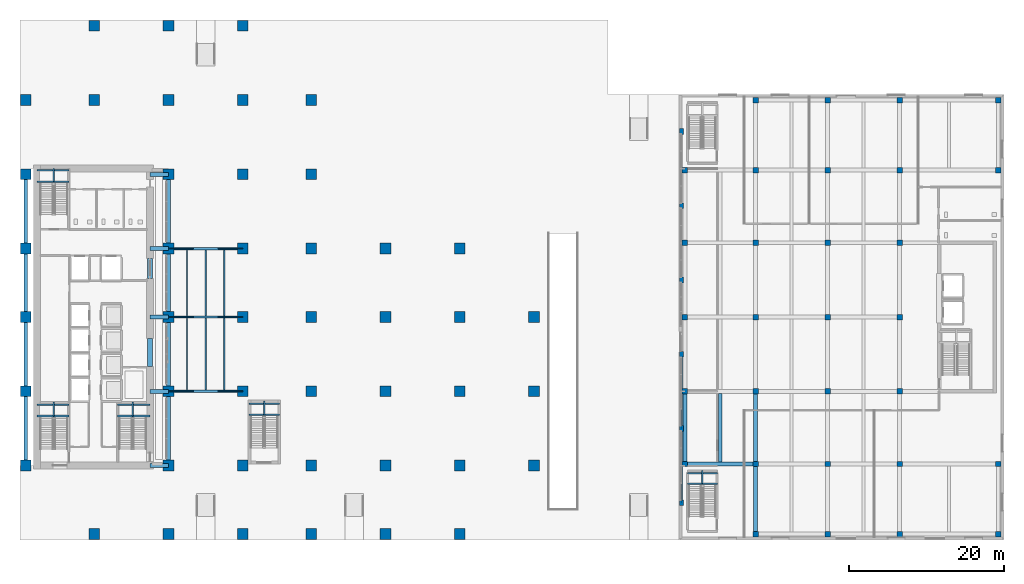
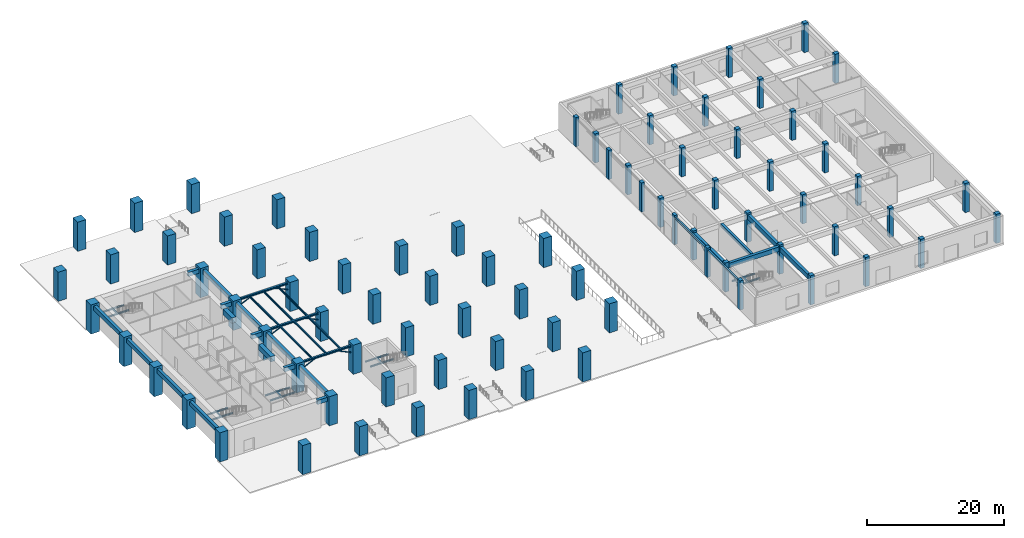
# One storey, part 1 of 24: 81 columns, 43 beams, 8 members.
"""IFC4 building model written with IfcOpenShell, lengths in metres."""

from ifc_helpers import new_model, si_unit, direction, frame, origin, origin_2d, place, context, subcontext, project, spatial, rectangle, hollow_circle, i_section, extrude, material, material_profile, profile_set, type_object, element, save


model = new_model("IFC4")

# Units and contexts
model_context = context("Model", 3, precision=1e-05, world=origin(), true_north=direction((0.0, 1.0)))
body_context = subcontext(model_context, "Body", "Model", "MODEL_VIEW")
ifc_project = project(units=[si_unit("LENGTHUNIT", "METRE"), si_unit("AREAUNIT", "SQUARE_METRE"), si_unit("VOLUMEUNIT", "CUBIC_METRE"), si_unit("PLANEANGLEUNIT", "RADIAN"), si_unit("MASSUNIT", "GRAM", prefix="KILO")], contexts=[model_context])

# Site, building, storey
site_placement = place(None, origin())
site = spatial("IfcSite", under=ifc_project, at=site_placement, CompositionType="ELEMENT")
building_placement = place(site_placement, origin())
building = spatial("IfcBuilding", under=site, at=building_placement, Name="Norrvale University Quadrangle", CompositionType="ELEMENT")
storey_placement = place(building_placement, origin())
storey = spatial("IfcBuildingStorey", under=building, at=storey_placement, Name="L00", CompositionType="ELEMENT", Elevation=0.0)

# Columns
ifc_material_1 = material(Name="Concrete C60/75", Category="concrete")
ifc_material_profile_1 = material_profile(ifc_material_1, rectangle(XDim=0.550048828125, YDim=0.75, at=origin_2d()), Name="Concrete C60/75")
ifc_profile_set_1 = profile_set([ifc_material_profile_1], Name="Concrete C60/75")
column_type_1 = type_object("IfcColumnType", Name="Column Lib Colonnade 550", PredefinedType="PILASTER", material=ifc_profile_set_1)
for number, where, z_axis, x_axis, name in (
    (1, (85.5, 4.800048828125, 0.0), (0.0, 0.0, 1.0), (1.0, 0.0, 0.0), "Library Colonnade Pilaster L00-01"),
    (2, (85.5, 14.39990234375, 0.0), (0.0, 0.0, 1.0), (1.0, 0.0, 0.0), "Library Colonnade Pilaster L00-02"),
    (3, (85.5, 24.0, 0.0), (0.0, 0.0, 1.0), (1.0, 0.0, 0.0), "Library Colonnade Pilaster L00-03"),
    (4, (85.5, 33.60009765625, 0.0), (0.0, 0.0, 1.0), (1.0, 0.0, 0.0), "Library Colonnade Pilaster L00-04"),
    (5, (85.5, 43.199951171875, 0.0), (0.0, 0.0, 1.0), (1.0, 0.0, 0.0), "Library Colonnade Pilaster L00-05"),
    (6, (85.5, 52.800048828125, 0.0), (0.0, 0.0, 1.0), (1.0, 0.0, 0.0), "Library Colonnade Pilaster L00-06"),
):
    element("IfcColumn", number, at=place(storey_placement, frame(where, z_axis=z_axis, x_axis=x_axis)), inside=storey, type_object=column_type_1, Name=name, PredefinedType="PILASTER", context=body_context, shape_type="SweptSolid", body=[
        extrude(rectangle(XDim=0.550048828125, YDim=0.75, at=origin_2d()), origin(), (0.0, 0.0, 1.0), 5.199951171875),
    ])
ifc_material_profile_2 = material_profile(ifc_material_1, rectangle(XDim=0.699951171875, YDim=0.699951171875, at=origin_2d()), Name="Concrete C60/75")
ifc_profile_set_2 = profile_set([ifc_material_profile_2], Name="Concrete C60/75")
column_type_2 = type_object("IfcColumnType", Name="Column Lib 700x700", PredefinedType="COLUMN", material=ifc_profile_set_2)
for number, where, z_axis, x_axis, name in (
    (7, (85.949951171875, 9.800048828125, 0.0), (0.0, 0.0, 1.0), (1.0, 0.0, 0.0), "Library Column L00-L01"),
    (8, (85.949951171875, 19.199951171875, 0.0), (0.0, 0.0, 1.0), (1.0, 0.0, 0.0), "Library Column L00-L02"),
    (9, (85.949951171875, 28.800048828125, 0.0), (0.0, 0.0, 1.0), (1.0, 0.0, 0.0), "Library Column L00-L03"),
    (10, (85.949951171875, 38.39990234375, 0.0), (0.0, 0.0, 1.0), (1.0, 0.0, 0.0), "Library Column L00-L04"),
    (11, (85.949951171875, 47.800048828125, 0.0), (0.0, 0.0, 1.0), (1.0, 0.0, 0.0), "Library Column L00-L05"),
    (12, (95.10009765625, 0.75, 0.0), (0.0, 0.0, 1.0), (1.0, 0.0, 0.0), "Library Column L00-L06"),
    (13, (95.10009765625, 9.800048828125, 0.0), (0.0, 0.0, 1.0), (1.0, 0.0, 0.0), "Library Column L00-L07"),
    (14, (95.10009765625, 19.199951171875, 0.0), (0.0, 0.0, 1.0), (1.0, 0.0, 0.0), "Library Column L00-L08"),
    (15, (95.10009765625, 28.800048828125, 0.0), (0.0, 0.0, 1.0), (1.0, 0.0, 0.0), "Library Column L00-L09"),
    (16, (95.10009765625, 38.39990234375, 0.0), (0.0, 0.0, 1.0), (1.0, 0.0, 0.0), "Library Column L00-L10"),
    (17, (95.10009765625, 47.800048828125, 0.0), (0.0, 0.0, 1.0), (1.0, 0.0, 0.0), "Library Column L00-L11"),
    (18, (95.10009765625, 56.85009765625, 0.0), (0.0, 0.0, 1.0), (1.0, 0.0, 0.0), "Library Column L00-L12"),
    (19, (104.39990234375, 0.75, 0.0), (0.0, 0.0, 1.0), (1.0, 0.0, 0.0), "Library Column L00-L13"),
    (20, (104.39990234375, 9.800048828125, 0.0), (0.0, 0.0, 1.0), (1.0, 0.0, 0.0), "Library Column L00-L14"),
    (21, (104.39990234375, 19.199951171875, 0.0), (0.0, 0.0, 1.0), (1.0, 0.0, 0.0), "Library Column L00-L15"),
    (22, (104.39990234375, 28.800048828125, 0.0), (0.0, 0.0, 1.0), (1.0, 0.0, 0.0), "Library Column L00-L16"),
    (23, (104.39990234375, 38.39990234375, 0.0), (0.0, 0.0, 1.0), (1.0, 0.0, 0.0), "Library Column L00-L17"),
    (24, (104.39990234375, 47.800048828125, 0.0), (0.0, 0.0, 1.0), (1.0, 0.0, 0.0), "Library Column L00-L18"),
    (25, (104.39990234375, 56.85009765625, 0.0), (0.0, 0.0, 1.0), (1.0, 0.0, 0.0), "Library Column L00-L19"),
    (26, (113.699951171875, 0.75, 0.0), (0.0, 0.0, 1.0), (1.0, 0.0, 0.0), "Library Column L00-L20"),
    (27, (113.699951171875, 9.800048828125, 0.0), (0.0, 0.0, 1.0), (1.0, 0.0, 0.0), "Library Column L00-L21"),
    (28, (113.699951171875, 19.199951171875, 0.0), (0.0, 0.0, 1.0), (1.0, 0.0, 0.0), "Library Column L00-L22"),
    (29, (113.699951171875, 28.800048828125, 0.0), (0.0, 0.0, 1.0), (1.0, 0.0, 0.0), "Library Column L00-L23"),
    (30, (113.699951171875, 38.39990234375, 0.0), (0.0, 0.0, 1.0), (1.0, 0.0, 0.0), "Library Column L00-L24"),
    (31, (113.699951171875, 47.800048828125, 0.0), (0.0, 0.0, 1.0), (1.0, 0.0, 0.0), "Library Column L00-L25"),
    (32, (113.699951171875, 56.85009765625, 0.0), (0.0, 0.0, 1.0), (1.0, 0.0, 0.0), "Library Column L00-L26"),
    (33, (126.449951171875, 0.75, 0.0), (0.0, 0.0, 1.0), (1.0, 0.0, 0.0), "Library Column L00-L27"),
    (34, (126.449951171875, 9.800048828125, 0.0), (0.0, 0.0, 1.0), (1.0, 0.0, 0.0), "Library Column L00-L28"),
    (35, (126.449951171875, 47.800048828125, 0.0), (0.0, 0.0, 1.0), (1.0, 0.0, 0.0), "Library Column L00-L29"),
    (36, (126.449951171875, 56.85009765625, 0.0), (0.0, 0.0, 1.0), (1.0, 0.0, 0.0), "Library Column L00-L30"),
):
    element("IfcColumn", number, at=place(storey_placement, frame(where, z_axis=z_axis, x_axis=x_axis)), inside=storey, type_object=column_type_2, Name=name, PredefinedType="COLUMN", context=body_context, shape_type="SweptSolid", body=[
        extrude(rectangle(XDim=0.699951171875, YDim=0.699951171875, at=origin_2d()), origin(), (0.0, 0.0, 1.0), 5.199951171875),
    ])
ifc_material_2 = material(Name="Concrete C80/95", Category="concrete")
ifc_material_profile_3 = material_profile(ifc_material_2, rectangle(XDim=1.39990234375, YDim=1.39990234375, at=origin_2d()), Name="Concrete C80/95")
ifc_profile_set_3 = profile_set([ifc_material_profile_3], Name="Concrete C80/95")
column_type_3 = type_object("IfcColumnType", Name="Column Pilotis 1400x1400", PredefinedType="USERDEFINED", material=ifc_profile_set_3)
for number, where, z_axis, x_axis, name in (
    (37, (0.75, 9.60009765625, 0.0), (0.0, 0.0, 1.0), (1.0, 0.0, 0.0), "Tower Column L00-T01"),
    (38, (0.75, 19.199951171875, 0.0), (0.0, 0.0, 1.0), (1.0, 0.0, 0.0), "Tower Column L00-T02"),
    (39, (0.75, 28.800048828125, 0.0), (0.0, 0.0, 1.0), (1.0, 0.0, 0.0), "Tower Column L00-T03"),
    (40, (0.75, 37.64990234375, 0.0), (0.0, 0.0, 1.0), (1.0, 0.0, 0.0), "Tower Column L00-T04"),
    (41, (0.75, 47.25, 0.0), (0.0, 0.0, 1.0), (1.0, 0.0, 0.0), "Tower Column L00-T05"),
    (42, (0.75, 56.85009765625, 0.0), (0.0, 0.0, 1.0), (1.0, 0.0, 0.0), "Tower Column L00-T06"),
    (43, (9.60009765625, 0.75, 0.0), (0.0, 0.0, 1.0), (1.0, 0.0, 0.0), "Tower Column L00-T07"),
    (44, (9.60009765625, 56.85009765625, 0.0), (0.0, 0.0, 1.0), (1.0, 0.0, 0.0), "Tower Column L00-T08"),
    (45, (9.60009765625, 66.449951171875, 0.0), (0.0, 0.0, 1.0), (1.0, 0.0, 0.0), "Tower Column L00-T09"),
    (46, (19.199951171875, 0.75, 0.0), (0.0, 0.0, 1.0), (1.0, 0.0, 0.0), "Tower Column L00-T10"),
    (47, (19.199951171875, 9.60009765625, 0.0), (0.0, 0.0, 1.0), (1.0, 0.0, 0.0), "Tower Column L00-T11"),
    (48, (19.199951171875, 19.199951171875, 0.0), (0.0, 0.0, 1.0), (1.0, 0.0, 0.0), "Tower Column L00-T12"),
    (49, (19.199951171875, 28.800048828125, 0.0), (0.0, 0.0, 1.0), (1.0, 0.0, 0.0), "Tower Column L00-T13"),
    (50, (19.199951171875, 37.64990234375, 0.0), (0.0, 0.0, 1.0), (1.0, 0.0, 0.0), "Tower Column L00-T14"),
    (51, (19.199951171875, 47.25, 0.0), (0.0, 0.0, 1.0), (1.0, 0.0, 0.0), "Tower Column L00-T15"),
    (52, (19.199951171875, 56.85009765625, 0.0), (0.0, 0.0, 1.0), (1.0, 0.0, 0.0), "Tower Column L00-T16"),
    (53, (19.199951171875, 66.449951171875, 0.0), (0.0, 0.0, 1.0), (1.0, 0.0, 0.0), "Tower Column L00-T17"),
    (54, (28.800048828125, 0.75, 0.0), (0.0, 0.0, 1.0), (1.0, 0.0, 0.0), "Tower Column L00-T18"),
    (55, (28.800048828125, 9.60009765625, 0.0), (0.0, 0.0, 1.0), (1.0, 0.0, 0.0), "Tower Column L00-T19"),
    (56, (28.800048828125, 19.199951171875, 0.0), (0.0, 0.0, 1.0), (1.0, 0.0, 0.0), "Tower Column L00-T20"),
    (57, (28.800048828125, 28.800048828125, 0.0), (0.0, 0.0, 1.0), (1.0, 0.0, 0.0), "Tower Column L00-T21"),
    (58, (28.800048828125, 37.64990234375, 0.0), (0.0, 0.0, 1.0), (1.0, 0.0, 0.0), "Tower Column L00-T22"),
    (59, (28.800048828125, 47.25, 0.0), (0.0, 0.0, 1.0), (1.0, 0.0, 0.0), "Tower Column L00-T23"),
    (60, (28.800048828125, 56.85009765625, 0.0), (0.0, 0.0, 1.0), (1.0, 0.0, 0.0), "Tower Column L00-T24"),
    (61, (28.800048828125, 66.449951171875, 0.0), (0.0, 0.0, 1.0), (1.0, 0.0, 0.0), "Tower Column L00-T25"),
    (62, (37.64990234375, 0.75, 0.0), (0.0, 0.0, 1.0), (1.0, 0.0, 0.0), "Tower Column L00-T26"),
    (63, (37.64990234375, 9.60009765625, 0.0), (0.0, 0.0, 1.0), (1.0, 0.0, 0.0), "Tower Column L00-T27"),
    (64, (37.64990234375, 19.199951171875, 0.0), (0.0, 0.0, 1.0), (1.0, 0.0, 0.0), "Tower Column L00-T28"),
    (65, (37.64990234375, 28.800048828125, 0.0), (0.0, 0.0, 1.0), (1.0, 0.0, 0.0), "Tower Column L00-T29"),
    (66, (37.64990234375, 37.64990234375, 0.0), (0.0, 0.0, 1.0), (1.0, 0.0, 0.0), "Tower Column L00-T30"),
    (67, (37.64990234375, 47.25, 0.0), (0.0, 0.0, 1.0), (1.0, 0.0, 0.0), "Tower Column L00-T31"),
    (68, (37.64990234375, 56.85009765625, 0.0), (0.0, 0.0, 1.0), (1.0, 0.0, 0.0), "Tower Column L00-T32"),
    (69, (47.25, 0.75, 0.0), (0.0, 0.0, 1.0), (1.0, 0.0, 0.0), "Tower Column L00-T33"),
    (70, (47.25, 9.60009765625, 0.0), (0.0, 0.0, 1.0), (1.0, 0.0, 0.0), "Tower Column L00-T34"),
    (71, (47.25, 19.199951171875, 0.0), (0.0, 0.0, 1.0), (1.0, 0.0, 0.0), "Tower Column L00-T35"),
    (72, (47.25, 28.800048828125, 0.0), (0.0, 0.0, 1.0), (1.0, 0.0, 0.0), "Tower Column L00-T36"),
    (73, (47.25, 37.64990234375, 0.0), (0.0, 0.0, 1.0), (1.0, 0.0, 0.0), "Tower Column L00-T37"),
    (74, (56.85009765625, 0.75, 0.0), (0.0, 0.0, 1.0), (1.0, 0.0, 0.0), "Tower Column L00-T38"),
    (75, (56.85009765625, 9.60009765625, 0.0), (0.0, 0.0, 1.0), (1.0, 0.0, 0.0), "Tower Column L00-T39"),
    (76, (56.85009765625, 19.199951171875, 0.0), (0.0, 0.0, 1.0), (1.0, 0.0, 0.0), "Tower Column L00-T40"),
    (77, (56.85009765625, 28.800048828125, 0.0), (0.0, 0.0, 1.0), (1.0, 0.0, 0.0), "Tower Column L00-T41"),
    (78, (56.85009765625, 37.64990234375, 0.0), (0.0, 0.0, 1.0), (1.0, 0.0, 0.0), "Tower Column L00-T42"),
    (79, (66.449951171875, 9.60009765625, 0.0), (0.0, 0.0, 1.0), (1.0, 0.0, 0.0), "Tower Column L00-T43"),
    (80, (66.449951171875, 19.199951171875, 0.0), (0.0, 0.0, 1.0), (1.0, 0.0, 0.0), "Tower Column L00-T44"),
    (81, (66.449951171875, 28.800048828125, 0.0), (0.0, 0.0, 1.0), (1.0, 0.0, 0.0), "Tower Column L00-T45"),
):
    element("IfcColumn", number, at=place(storey_placement, frame(where, z_axis=z_axis, x_axis=x_axis)), inside=storey, type_object=column_type_3, Name=name, ObjectType="PILOTIS", PredefinedType="USERDEFINED", context=body_context, shape_type="SweptSolid", body=[
        extrude(rectangle(XDim=1.39990234375, YDim=1.39990234375, at=origin_2d()), origin(), (0.0, 0.0, 1.0), 5.199951171875),
    ])

# Beams
ifc_material_3 = material(Name="Steel 350W", Category="steel")
ifc_material_profile_4 = material_profile(ifc_material_3, i_section(OverallWidth=0.1669921875, OverallDepth=0.31689453125, WebThickness=0.007568359375, FlangeThickness=0.01318359375, FilletRadius=0.010009765625, at=origin_2d()), Name="Steel 350W")
ifc_profile_set_4 = profile_set([ifc_material_profile_4], Name="Steel 350W")
beam_type_1 = type_object("IfcBeamType", Name="Beam Canopy Purlin W310x52", PredefinedType="USERDEFINED", material=ifc_profile_set_4)
for number, where, z_axis, x_axis, name in (
    (82, (21.60009765625, 19.199951171875, 4.701416015625), (0.0, 1.0, 0.0), (-1.0, 0.0, 0.0), "Plaza Canopy Purlin 01"),
    (83, (24.0, 19.199951171875, 4.701416015625), (0.0, 1.0, 0.0), (-1.0, 0.0, 0.0), "Plaza Canopy Purlin 02"),
    (84, (26.39990234375, 19.199951171875, 4.701416015625), (0.0, 1.0, 0.0), (-1.0, 0.0, 0.0), "Plaza Canopy Purlin 03"),
):
    element("IfcBeam", number, at=place(storey_placement, frame(where, z_axis=z_axis, x_axis=x_axis)), inside=storey, type_object=beam_type_1, Name=name, ObjectType="PURLIN", PredefinedType="USERDEFINED", context=body_context, shape_type="SweptSolid", body=[
        extrude(i_section(OverallWidth=0.1669921875, OverallDepth=0.31689453125, WebThickness=0.007568359375, FlangeThickness=0.01318359375, FilletRadius=0.010009765625, at=origin_2d()), origin(), (0.0, 0.0, 1.0), 18.449951171875),
    ])
ifc_material_profile_5 = material_profile(ifc_material_3, i_section(OverallWidth=0.304931640625, OverallDepth=0.30810546875, WebThickness=0.010009765625, FlangeThickness=0.015380859375, FilletRadius=0.014892578125, at=origin_2d()), Name="Steel 350W")
ifc_profile_set_5 = profile_set([ifc_material_profile_5], Name="Steel 350W")
beam_type_2 = type_object("IfcBeamType", Name="Beam Canopy W310x97", PredefinedType="BEAM", material=ifc_profile_set_5)
for number, where, z_axis, x_axis, name in (
    (85, (19.199951171875, 19.199951171875, 4.7060546875), (1.0, 0.0, 0.0), (0.0, 1.0, 0.0), "Plaza Entrance Canopy Girder 01"),
    (86, (19.199951171875, 28.800048828125, 4.7060546875), (1.0, 0.0, 0.0), (0.0, 1.0, 0.0), "Plaza Entrance Canopy Girder 02"),
    (87, (19.199951171875, 37.64990234375, 4.7060546875), (1.0, 0.0, 0.0), (0.0, 1.0, 0.0), "Plaza Entrance Canopy Girder 03"),
):
    element("IfcBeam", number, at=place(storey_placement, frame(where, z_axis=z_axis, x_axis=x_axis)), inside=storey, type_object=beam_type_2, Name=name, PredefinedType="BEAM", context=body_context, shape_type="SweptSolid", body=[
        extrude(i_section(OverallWidth=0.304931640625, OverallDepth=0.30810546875, WebThickness=0.010009765625, FlangeThickness=0.015380859375, FilletRadius=0.014892578125, at=origin_2d()), origin(), (0.0, 0.0, 1.0), 9.60009765625),
    ])
beam_1_placement = place(storey_placement, frame((85.5, 4.800048828125, 4.696044921875), z_axis=(0.0, 1.0, 0.0), x_axis=(-1.0, 0.0, 0.0)))
element("IfcBeam", 88, at=beam_1_placement, inside=storey, type_object=beam_type_2, Name="Library Colonnade Header Beam 01", PredefinedType="BEAM", context=body_context, shape_type="SweptSolid", body=[
    extrude(i_section(OverallWidth=0.304931640625, OverallDepth=0.30810546875, WebThickness=0.010009765625, FlangeThickness=0.015380859375, FilletRadius=0.014892578125, at=origin_2d()), origin(), (0.0, 0.0, 1.0), 9.599853515625),
])
beam_2_placement = place(storey_placement, frame((85.5, 14.39990234375, 4.696044921875), z_axis=(0.0, 1.0, 0.0), x_axis=(-1.0, 0.0, 0.0)))
element("IfcBeam", 89, at=beam_2_placement, inside=storey, type_object=beam_type_2, Name="Library Colonnade Header Beam 02", PredefinedType="BEAM", context=body_context, shape_type="SweptSolid", body=[
    extrude(i_section(OverallWidth=0.304931640625, OverallDepth=0.30810546875, WebThickness=0.010009765625, FlangeThickness=0.015380859375, FilletRadius=0.014892578125, at=origin_2d()), origin(), (0.0, 0.0, 1.0), 9.60009765625),
])
ifc_material_profile_6 = material_profile(ifc_material_2, rectangle(XDim=0.699951171875, YDim=0.949951171875, at=origin_2d()), Name="Concrete C80/95")
ifc_profile_set_6 = profile_set([ifc_material_profile_6], Name="Concrete C80/95")
beam_type_3 = type_object("IfcBeamType", Name="Beam Core Link 700x950", PredefinedType="LINTEL", material=ifc_profile_set_6)
beam_3_placement = place(storey_placement, frame((16.800048828125, 22.39990234375, 4.385009765625), z_axis=(0.0, 1.0, 0.0), x_axis=(-1.0, 0.0, 0.0)))
element("IfcBeam", 90, at=beam_3_placement, inside=storey, type_object=beam_type_3, Name="Core Coupling Lintel Beam L00-1", PredefinedType="LINTEL", context=body_context, shape_type="SweptSolid", body=[
    extrude(rectangle(XDim=0.699951171875, YDim=0.949951171875, at=origin_2d()), origin(), (0.0, 0.0, 1.0), 3.60009765625),
])
beam_4_placement = place(storey_placement, frame((16.800048828125, 33.800048828125, 4.385009765625), z_axis=(0.0, 1.0, 0.0), x_axis=(-1.0, 0.0, 0.0)))
element("IfcBeam", 91, at=beam_4_placement, inside=storey, type_object=beam_type_3, Name="Core Coupling Lintel Beam L00-2", PredefinedType="LINTEL", context=body_context, shape_type="SweptSolid", body=[
    extrude(rectangle(XDim=0.699951171875, YDim=0.949951171875, at=origin_2d()), origin(), (0.0, 0.0, 1.0), 2.599853515625),
])
ifc_material_profile_7 = material_profile(ifc_material_1, rectangle(XDim=0.5, YDim=0.75, at=origin_2d()), Name="Concrete C60/75")
ifc_profile_set_7 = profile_set([ifc_material_profile_7], Name="Concrete C60/75")
beam_type_4 = type_object("IfcBeamType", Name="Beam Edge 500x750", PredefinedType="BEAM", material=ifc_profile_set_7)
beam_5_placement = place(storey_placement, frame((0.75, 9.60009765625, 4.485107421875), z_axis=(0.0, 1.0, 0.0), x_axis=(-1.0, 0.0, 0.0)))
element("IfcBeam", 92, at=beam_5_placement, inside=storey, type_object=beam_type_4, Name="Beam Edge 500x750 BM-L00-GY001", PredefinedType="BEAM", context=body_context, shape_type="SweptSolid", body=[
    extrude(rectangle(XDim=0.5, YDim=0.75, at=origin_2d()), origin(), (0.0, 0.0, 1.0), 9.599853515625),
])
beam_6_placement = place(storey_placement, frame((0.75, 19.199951171875, 4.485107421875), z_axis=(0.0, 1.0, 0.0), x_axis=(-1.0, 0.0, 0.0)))
element("IfcBeam", 93, at=beam_6_placement, inside=storey, type_object=beam_type_4, Name="Beam Edge 500x750 BM-L00-GY002", PredefinedType="BEAM", context=body_context, shape_type="SweptSolid", body=[
    extrude(rectangle(XDim=0.5, YDim=0.75, at=origin_2d()), origin(), (0.0, 0.0, 1.0), 9.60009765625),
])
beam_7_placement = place(storey_placement, frame((0.75, 28.800048828125, 4.485107421875), z_axis=(0.0, 1.0, 0.0), x_axis=(-1.0, 0.0, 0.0)))
element("IfcBeam", 94, at=beam_7_placement, inside=storey, type_object=beam_type_4, Name="Beam Edge 500x750 BM-L00-GY003", PredefinedType="BEAM", context=body_context, shape_type="SweptSolid", body=[
    extrude(rectangle(XDim=0.5, YDim=0.75, at=origin_2d()), origin(), (0.0, 0.0, 1.0), 8.849853515625),
])
beam_8_placement = place(storey_placement, frame((0.75, 37.64990234375, 4.485107421875), z_axis=(0.0, 1.0, 0.0), x_axis=(-1.0, 0.0, 0.0)))
element("IfcBeam", 95, at=beam_8_placement, inside=storey, type_object=beam_type_4, Name="Beam Edge 500x750 BM-L00-GY004", PredefinedType="BEAM", context=body_context, shape_type="SweptSolid", body=[
    extrude(rectangle(XDim=0.5, YDim=0.75, at=origin_2d()), origin(), (0.0, 0.0, 1.0), 9.60009765625),
])
beam_9_placement = place(storey_placement, frame((19.199951171875, 9.60009765625, 4.485107421875), z_axis=(0.0, 1.0, 0.0), x_axis=(-1.0, 0.0, 0.0)))
element("IfcBeam", 96, at=beam_9_placement, inside=storey, type_object=beam_type_4, Name="Beam Edge 500x750 BM-L00-GY005", PredefinedType="BEAM", context=body_context, shape_type="SweptSolid", body=[
    extrude(rectangle(XDim=0.5, YDim=0.75, at=origin_2d()), origin(), (0.0, 0.0, 1.0), 9.599853515625),
])
beam_10_placement = place(storey_placement, frame((19.199951171875, 19.199951171875, 4.485107421875), z_axis=(0.0, 1.0, 0.0), x_axis=(-1.0, 0.0, 0.0)))
element("IfcBeam", 97, at=beam_10_placement, inside=storey, type_object=beam_type_4, Name="Beam Edge 500x750 BM-L00-GY006", PredefinedType="BEAM", context=body_context, shape_type="SweptSolid", body=[
    extrude(rectangle(XDim=0.5, YDim=0.75, at=origin_2d()), origin(), (0.0, 0.0, 1.0), 9.60009765625),
])
beam_11_placement = place(storey_placement, frame((19.199951171875, 28.800048828125, 4.485107421875), z_axis=(0.0, 1.0, 0.0), x_axis=(-1.0, 0.0, 0.0)))
element("IfcBeam", 98, at=beam_11_placement, inside=storey, type_object=beam_type_4, Name="Beam Edge 500x750 BM-L00-GY007", PredefinedType="BEAM", context=body_context, shape_type="SweptSolid", body=[
    extrude(rectangle(XDim=0.5, YDim=0.75, at=origin_2d()), origin(), (0.0, 0.0, 1.0), 8.849853515625),
])
beam_12_placement = place(storey_placement, frame((19.199951171875, 37.64990234375, 4.485107421875), z_axis=(0.0, 1.0, 0.0), x_axis=(-1.0, 0.0, 0.0)))
element("IfcBeam", 99, at=beam_12_placement, inside=storey, type_object=beam_type_4, Name="Beam Edge 500x750 BM-L00-GY008", PredefinedType="BEAM", context=body_context, shape_type="SweptSolid", body=[
    extrude(rectangle(XDim=0.5, YDim=0.75, at=origin_2d()), origin(), (0.0, 0.0, 1.0), 9.60009765625),
])
for number, where, z_axis, x_axis, name in (
    (100, (16.800048828125, 9.60009765625, 4.485107421875), (1.0, 0.0, 0.0), (0.0, 1.0, 0.0), "Beam Edge 500x750 BM-L00-GCE009"),
    (101, (16.800048828125, 19.199951171875, 4.485107421875), (1.0, 0.0, 0.0), (0.0, 1.0, 0.0), "Beam Edge 500x750 BM-L00-GCE010"),
    (102, (16.800048828125, 28.800048828125, 4.485107421875), (1.0, 0.0, 0.0), (0.0, 1.0, 0.0), "Beam Edge 500x750 BM-L00-GCE011"),
    (103, (16.800048828125, 37.64990234375, 4.485107421875), (1.0, 0.0, 0.0), (0.0, 1.0, 0.0), "Beam Edge 500x750 BM-L00-GCE012"),
    (104, (16.800048828125, 47.25, 4.485107421875), (1.0, 0.0, 0.0), (0.0, 1.0, 0.0), "Beam Edge 500x750 BM-L00-GCE013"),
):
    element("IfcBeam", number, at=place(storey_placement, frame(where, z_axis=z_axis, x_axis=x_axis)), inside=storey, type_object=beam_type_4, Name=name, PredefinedType="BEAM", context=body_context, shape_type="SweptSolid", body=[
        extrude(rectangle(XDim=0.5, YDim=0.75, at=origin_2d()), origin(), (0.0, 0.0, 1.0), 2.39990234375),
    ])
ifc_material_profile_8 = material_profile(ifc_material_1, rectangle(XDim=0.39990234375, YDim=0.60009765625, at=origin_2d()), Name="Concrete C60/75")
ifc_profile_set_8 = profile_set([ifc_material_profile_8], Name="Concrete C60/75")
beam_type_5 = type_object("IfcBeamType", Name="Beam Lib 400x600", PredefinedType="JOIST", material=ifc_profile_set_8)
beam_13_placement = place(storey_placement, frame((90.52490234375, 10.050048828125, 4.550048828125), z_axis=(0.0, 1.0, 0.0), x_axis=(-1.0, 0.0, 0.0)))
element("IfcBeam", 105, at=beam_13_placement, inside=storey, type_object=beam_type_5, Name="Beam Lib 400x600 BM-L00-LJ048", PredefinedType="JOIST", context=body_context, shape_type="SweptSolid", body=[
    extrude(rectangle(XDim=0.39990234375, YDim=0.60009765625, at=origin_2d()), origin(), (0.0, 0.0, 1.0), 8.89990234375),
])
ifc_material_profile_9 = material_profile(ifc_material_1, rectangle(XDim=0.5, YDim=0.800048828125, at=origin_2d()), Name="Concrete C60/75")
ifc_profile_set_9 = profile_set([ifc_material_profile_9], Name="Concrete C60/75")
beam_type_6 = type_object("IfcBeamType", Name="Beam Lib 500x800", PredefinedType="BEAM", material=ifc_profile_set_9)
beam_14_placement = place(storey_placement, frame((85.949951171875, 9.800048828125, 4.449951171875), z_axis=(1.0, 0.0, 0.0), x_axis=(0.0, 1.0, 0.0)))
element("IfcBeam", 106, at=beam_14_placement, inside=storey, type_object=beam_type_6, Name="Beam Lib 500x800 BM-L00-LGX004", PredefinedType="BEAM", context=body_context, shape_type="SweptSolid", body=[
    extrude(rectangle(XDim=0.5, YDim=0.800048828125, at=origin_2d()), origin(), (0.0, 0.0, 1.0), 9.150146484375),
])
beam_15_placement = place(storey_placement, frame((85.949951171875, 9.800048828125, 4.449951171875), z_axis=(0.0, 1.0, 0.0), x_axis=(-1.0, 0.0, 0.0)))
element("IfcBeam", 107, at=beam_15_placement, inside=storey, type_object=beam_type_6, Name="Beam Lib 500x800 BM-L00-LGY024", PredefinedType="BEAM", context=body_context, shape_type="SweptSolid", body=[
    extrude(rectangle(XDim=0.5, YDim=0.800048828125, at=origin_2d()), origin(), (0.0, 0.0, 1.0), 9.39990234375),
])
beam_16_placement = place(storey_placement, frame((95.10009765625, 0.75, 4.449951171875), z_axis=(0.0, 1.0, 0.0), x_axis=(-1.0, 0.0, 0.0)))
element("IfcBeam", 108, at=beam_16_placement, inside=storey, type_object=beam_type_6, Name="Beam Lib 500x800 BM-L00-LGY028", PredefinedType="BEAM", context=body_context, shape_type="SweptSolid", body=[
    extrude(rectangle(XDim=0.5, YDim=0.800048828125, at=origin_2d()), origin(), (0.0, 0.0, 1.0), 9.050048828125),
])
beam_17_placement = place(storey_placement, frame((95.10009765625, 9.800048828125, 4.449951171875), z_axis=(0.0, 1.0, 0.0), x_axis=(-1.0, 0.0, 0.0)))
element("IfcBeam", 109, at=beam_17_placement, inside=storey, type_object=beam_type_6, Name="Beam Lib 500x800 BM-L00-LGY029", PredefinedType="BEAM", context=body_context, shape_type="SweptSolid", body=[
    extrude(rectangle(XDim=0.5, YDim=0.800048828125, at=origin_2d()), origin(), (0.0, 0.0, 1.0), 9.39990234375),
])
ifc_material_profile_10 = material_profile(ifc_material_3, i_section(OverallWidth=0.201904296875, OverallDepth=0.2470703125, WebThickness=0.00732421875, FlangeThickness=0.010986328125, FilletRadius=0.011962890625, at=origin_2d()), Name="Steel 350W")
ifc_profile_set_10 = profile_set([ifc_material_profile_10], Name="Steel 350W")
beam_type_7 = type_object("IfcBeamType", Name="Beam Stair W250x49", PredefinedType="BEAM", material=ifc_profile_set_10)
for number, where, z_axis, x_axis, name in (
    (110, (2.199951171875, 16.010009765625, 2.276611328125), (1.0, 0.0, 0.0), (0.0, 1.0, 0.0), "Stair Mid-Landing Front Beam ST-01 L00"),
    (111, (2.199951171875, 17.469970703125, 2.276611328125), (1.0, 0.0, 0.0), (0.0, 1.0, 0.0), "Stair Mid-Landing Rear Beam ST-01 L00"),
    (112, (2.199951171875, 46.31005859375, 2.276611328125), (1.0, 0.0, 0.0), (0.0, 1.0, 0.0), "Stair Mid-Landing Front Beam ST-02 L00"),
    (113, (2.199951171875, 47.77001953125, 2.276611328125), (1.0, 0.0, 0.0), (0.0, 1.0, 0.0), "Stair Mid-Landing Rear Beam ST-02 L00"),
):
    element("IfcBeam", number, at=place(storey_placement, frame(where, z_axis=z_axis, x_axis=x_axis)), inside=storey, type_object=beam_type_7, Name=name, PredefinedType="BEAM", context=body_context, shape_type="SweptSolid", body=[
        extrude(i_section(OverallWidth=0.201904296875, OverallDepth=0.2470703125, WebThickness=0.00732421875, FlangeThickness=0.010986328125, FilletRadius=0.011962890625, at=origin_2d()), origin(), (0.0, 0.0, 1.0), 4.14013671875),
    ])
for number, where, z_axis, x_axis, name in (
    (114, (12.610107421875, 16.010009765625, 2.276611328125), (1.0, 0.0, 0.0), (0.0, 1.0, 0.0), "Stair Mid-Landing Front Beam ST-03 L00"),
    (115, (12.610107421875, 17.469970703125, 2.276611328125), (1.0, 0.0, 0.0), (0.0, 1.0, 0.0), "Stair Mid-Landing Rear Beam ST-03 L00"),
):
    element("IfcBeam", number, at=place(storey_placement, frame(where, z_axis=z_axis, x_axis=x_axis)), inside=storey, type_object=beam_type_7, Name=name, PredefinedType="BEAM", context=body_context, shape_type="SweptSolid", body=[
        extrude(i_section(OverallWidth=0.201904296875, OverallDepth=0.2470703125, WebThickness=0.00732421875, FlangeThickness=0.010986328125, FilletRadius=0.011962890625, at=origin_2d()), origin(), (0.0, 0.0, 1.0), 4.18994140625),
    ])
for number, where, z_axis, x_axis, name in (
    (116, (29.610107421875, 16.159912109375, 2.276611328125), (1.0, 0.0, 0.0), (0.0, 1.0, 0.0), "Stair Mid-Landing Front Beam ST-04 L00"),
    (117, (29.610107421875, 17.6201171875, 2.276611328125), (1.0, 0.0, 0.0), (0.0, 1.0, 0.0), "Stair Mid-Landing Rear Beam ST-04 L00"),
):
    element("IfcBeam", number, at=place(storey_placement, frame(where, z_axis=z_axis, x_axis=x_axis)), inside=storey, type_object=beam_type_7, Name=name, PredefinedType="BEAM", context=body_context, shape_type="SweptSolid", body=[
        extrude(i_section(OverallWidth=0.201904296875, OverallDepth=0.2470703125, WebThickness=0.00732421875, FlangeThickness=0.010986328125, FilletRadius=0.011962890625, at=origin_2d()), origin(), (0.0, 0.0, 1.0), 3.929931640625),
    ])
for number, where, z_axis, x_axis, name in (
    (118, (86.260009765625, 7.260009765625, 2.276611328125), (1.0, 0.0, 0.0), (0.0, 1.0, 0.0), "Stair Mid-Landing Front Beam ST-L2 L00"),
    (119, (86.260009765625, 8.6201171875, 2.276611328125), (1.0, 0.0, 0.0), (0.0, 1.0, 0.0), "Stair Mid-Landing Rear Beam ST-L2 L00"),
):
    element("IfcBeam", number, at=place(storey_placement, frame(where, z_axis=z_axis, x_axis=x_axis)), inside=storey, type_object=beam_type_7, Name=name, PredefinedType="BEAM", context=body_context, shape_type="SweptSolid", body=[
        extrude(i_section(OverallWidth=0.201904296875, OverallDepth=0.2470703125, WebThickness=0.00732421875, FlangeThickness=0.010986328125, FilletRadius=0.011962890625, at=origin_2d()), origin(), (0.0, 0.0, 1.0), 3.8798828125),
    ])
ifc_material_profile_11 = material_profile(ifc_material_3, i_section(OverallWidth=0.202880859375, OverallDepth=0.202880859375, WebThickness=0.007080078125, FlangeThickness=0.010986328125, FilletRadius=0.010009765625, at=origin_2d()), Name="Steel 350W")
ifc_profile_set_11 = profile_set([ifc_material_profile_11], Name="Steel 350W")
beam_type_8 = type_object("IfcBeamType", Name="Beam Trim W200x46", PredefinedType="BEAM", material=ifc_profile_set_11)
beam_18_placement = place(storey_placement, frame((4.375, 16.010009765625, 2.298583984375), z_axis=(0.0, 1.0, 0.0), x_axis=(-1.0, 0.0, 0.0)))
element("IfcBeam", 120, at=beam_18_placement, inside=storey, type_object=beam_type_8, Name="Stair Mid-Landing Cross Beam ST-01 L00", PredefinedType="BEAM", context=body_context, shape_type="SweptSolid", body=[
    extrude(i_section(OverallWidth=0.202880859375, OverallDepth=0.202880859375, WebThickness=0.007080078125, FlangeThickness=0.010986328125, FilletRadius=0.010009765625, at=origin_2d()), origin(), (0.0, 0.0, 1.0), 1.780029296875),
])
beam_19_placement = place(storey_placement, frame((4.375, 46.31005859375, 2.298583984375), z_axis=(0.0, 1.0, 0.0), x_axis=(-1.0, 0.0, 0.0)))
element("IfcBeam", 121, at=beam_19_placement, inside=storey, type_object=beam_type_8, Name="Stair Mid-Landing Cross Beam ST-02 L00", PredefinedType="BEAM", context=body_context, shape_type="SweptSolid", body=[
    extrude(i_section(OverallWidth=0.202880859375, OverallDepth=0.202880859375, WebThickness=0.007080078125, FlangeThickness=0.010986328125, FilletRadius=0.010009765625, at=origin_2d()), origin(), (0.0, 0.0, 1.0), 1.68994140625),
])
for number, where, z_axis, x_axis, name in (
    (122, (14.574951171875, 16.010009765625, 2.298583984375), (0.0, 1.0, 0.0), (-1.0, 0.0, 0.0), "Stair Mid-Landing Cross Beam ST-03 L00"),
    (123, (31.574951171875, 16.159912109375, 2.298583984375), (0.0, 1.0, 0.0), (-1.0, 0.0, 0.0), "Stair Mid-Landing Cross Beam ST-04 L00"),
):
    element("IfcBeam", number, at=place(storey_placement, frame(where, z_axis=z_axis, x_axis=x_axis)), inside=storey, type_object=beam_type_8, Name=name, PredefinedType="BEAM", context=body_context, shape_type="SweptSolid", body=[
        extrude(i_section(OverallWidth=0.202880859375, OverallDepth=0.202880859375, WebThickness=0.007080078125, FlangeThickness=0.010986328125, FilletRadius=0.010009765625, at=origin_2d()), origin(), (0.0, 0.0, 1.0), 1.780029296875),
    ])
beam_20_placement = place(storey_placement, frame((88.199951171875, 7.260009765625, 2.298583984375), z_axis=(0.0, 1.0, 0.0), x_axis=(-1.0, 0.0, 0.0)))
element("IfcBeam", 124, at=beam_20_placement, inside=storey, type_object=beam_type_8, Name="Stair Mid-Landing Cross Beam ST-L2 L00", PredefinedType="BEAM", context=body_context, shape_type="SweptSolid", body=[
    extrude(i_section(OverallWidth=0.202880859375, OverallDepth=0.202880859375, WebThickness=0.007080078125, FlangeThickness=0.010986328125, FilletRadius=0.010009765625, at=origin_2d()), origin(), (0.0, 0.0, 1.0), 1.679931640625),
])

# Members
ifc_material_profile_12 = material_profile(ifc_material_3, hollow_circle(Radius=0.083984375, WallThickness=0.008056640625, at=origin_2d()), Name="Steel 350W")
ifc_profile_set_12 = profile_set([ifc_material_profile_12], Name="Steel 350W")
member_type = type_object("IfcMemberType", Name="Member Canopy Strut CHS168", PredefinedType="STRUT", material=ifc_profile_set_12)
for number, where, z_axis, x_axis, name in (
    (125, (19.199951171875, 19.199951171875, 3.199951171875), (0.905456447004, 0.0, 0.424439185961), (0.0, 1.0, 0.0), "Plaza Canopy Knee Strut 01A"),
    (126, (28.800048828125, 19.199951171875, 3.199951171875), (-0.905456447004, 0.0, 0.424439185961), (0.0, -1.0, 0.0), "Plaza Canopy Knee Strut 01B"),
    (127, (19.199951171875, 28.800048828125, 3.199951171875), (0.905456447004, 0.0, 0.424439185961), (0.0, 1.0, 0.0), "Plaza Canopy Knee Strut 02A"),
    (128, (28.800048828125, 28.800048828125, 3.199951171875), (-0.905456447004, 0.0, 0.424439185961), (0.0, -1.0, 0.0), "Plaza Canopy Knee Strut 02B"),
    (129, (19.199951171875, 37.64990234375, 3.199951171875), (0.905456447004, 0.0, 0.424439185961), (0.0, 1.0, 0.0), "Plaza Canopy Knee Strut 03A"),
    (130, (28.800048828125, 37.64990234375, 3.199951171875), (-0.905456447004, 0.0, 0.424439185961), (0.0, -1.0, 0.0), "Plaza Canopy Knee Strut 03B"),
):
    element("IfcMember", number, at=place(storey_placement, frame(where, z_axis=z_axis, x_axis=x_axis)), inside=storey, type_object=member_type, Name=name, PredefinedType="STRUT", context=body_context, shape_type="SweptSolid", body=[
        extrude(hollow_circle(Radius=0.083984375, WallThickness=0.008056640625, at=origin_2d()), origin(), (0.0, 0.0, 1.0), 3.5341796875),
    ])
member_1_placement = place(storey_placement, frame((85.5, 4.800048828125, 3.39990234375), z_axis=(0.0, 0.879276357644, 0.476311963831), x_axis=(-1.0, 0.0, 0.0)))
element("IfcMember", 131, at=member_1_placement, inside=storey, type_object=member_type, Name="Library Colonnade Arch Strut 01", PredefinedType="STRUT", context=body_context, shape_type="SweptSolid", body=[
    extrude(hollow_circle(Radius=0.083984375, WallThickness=0.008056640625, at=origin_2d()), origin(), (0.0, 0.0, 1.0), 2.7294921875),
])
member_2_placement = place(storey_placement, frame((85.5, 14.39990234375, 3.39990234375), z_axis=(0.0, 0.879296648652, 0.476274504534), x_axis=(-1.0, 0.0, 0.0)))
element("IfcMember", 132, at=member_2_placement, inside=storey, type_object=member_type, Name="Library Colonnade Arch Strut 02", PredefinedType="STRUT", context=body_context, shape_type="SweptSolid", body=[
    extrude(hollow_circle(Radius=0.083984375, WallThickness=0.008056640625, at=origin_2d()), origin(), (0.0, 0.0, 1.0), 2.729736328125),
])

save(model, "model.ifc")
